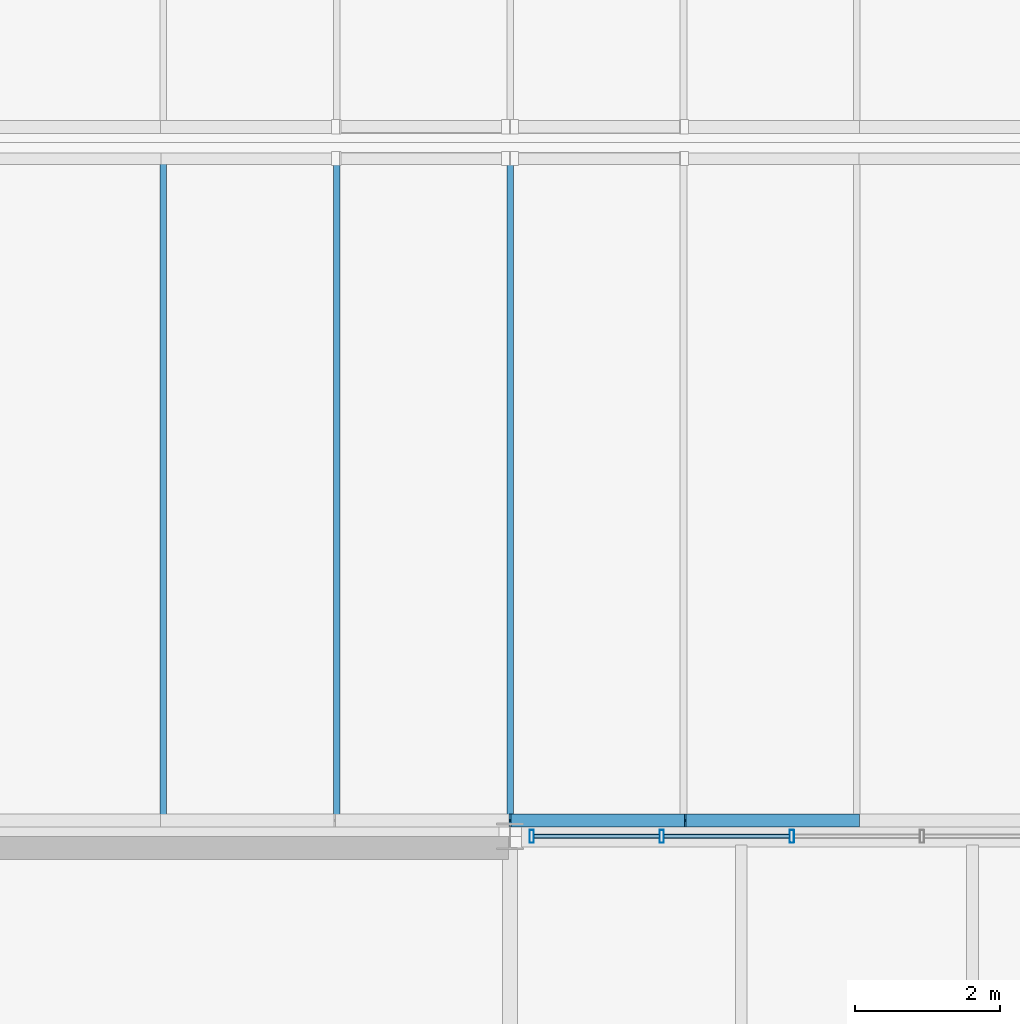
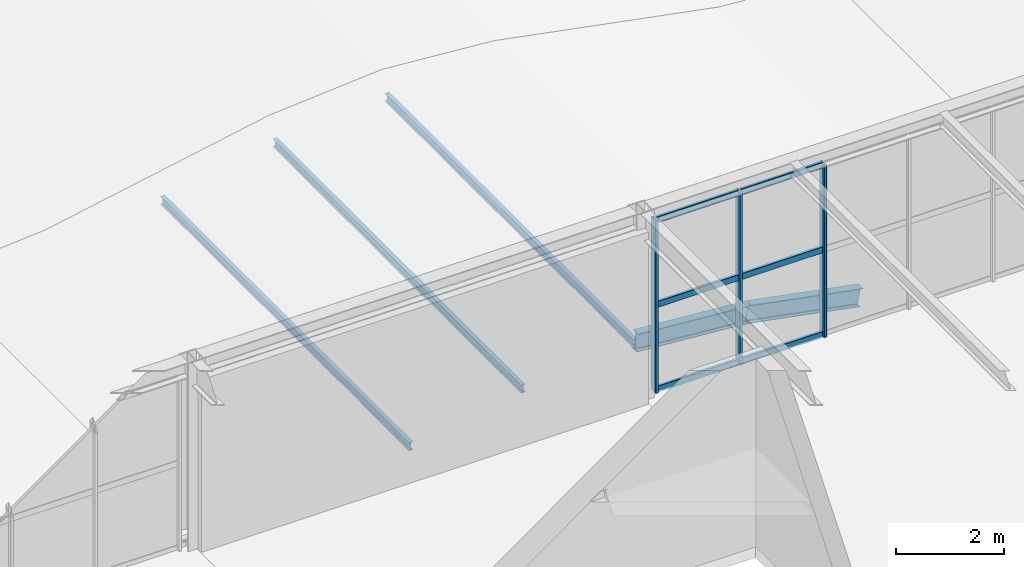
# One storey, part 109 of 170: 12 members, 2 beams, 1 element without a shape of its own.
"""IFC4 building model written with IfcOpenShell, lengths in metres."""

from ifc_helpers import new_model, si_unit, direction, frame, origin, origin_2d, place, context, subcontext, project, spatial, hollow_rectangle, i_section, extrude, material, material_profile, profile_set, type_object, element, aggregate, save


model = new_model("IFC4")

# Units and contexts
model_context = context("Model", 3, precision=1e-05, world=origin(), true_north=direction((0.0, 1.0)))
body_context = subcontext(model_context, "Body", "Model", "MODEL_VIEW")
ifc_project = project(units=[si_unit("LENGTHUNIT", "METRE"), si_unit("AREAUNIT", "SQUARE_METRE"), si_unit("VOLUMEUNIT", "CUBIC_METRE"), si_unit("PLANEANGLEUNIT", "RADIAN"), si_unit("MASSUNIT", "GRAM", prefix="KILO")], contexts=[model_context])

# Site, building, storey
site_placement = place(None, origin())
site = spatial("IfcSite", under=ifc_project, at=site_placement, CompositionType="ELEMENT")
building_placement = place(site_placement, origin())
building = spatial("IfcBuilding", under=site, at=building_placement, Name="Coralgate Yard Interchange", CompositionType="ELEMENT")
storey_placement = place(building_placement, frame((0.0, 0.0, 6.0)))
storey = spatial("IfcBuildingStorey", under=building, at=storey_placement, Name="L01", CompositionType="ELEMENT", Elevation=6.0)

# Beams
ifc_material_1 = material(Name="Off-white architectural structural steel S355J2", Category="steel")
ifc_material_profile_1 = material_profile(ifc_material_1, i_section(OverallWidth=0.179931640625, OverallDepth=0.39990234375, WebThickness=0.008544921875, FlangeThickness=0.013427734375, FilletRadius=0.02099609375, at=origin_2d()), Name="IPE 400")
ifc_profile_set_1 = profile_set([ifc_material_profile_1], Name="Off-white architectural structural steel S355J2")
beam_type = type_object("IfcBeamType", Name="BM-WR-1", PredefinedType="BEAM", material=ifc_profile_set_1)
beam_1_placement = place(storey_placement, frame((86.39990234375, 96.219970703125, 1.10009765625), z_axis=(0.996867296401, 0.0, -0.079092309144), x_axis=(0.0, 1.0, 0.0)))
element("IfcBeam", 1, at=beam_1_placement, inside=storey, type_object=beam_type, Name="Wave-shell steel arch rib R1-W3-S5", PredefinedType="BEAM", context=body_context, shape_type="SweptSolid", body=[
    extrude(i_section(OverallWidth=0.179931640625, OverallDepth=0.39990234375, WebThickness=0.008544921875, FlangeThickness=0.013427734375, FilletRadius=0.02099609375, at=origin_2d()), origin(), (0.0, 0.0, 1.0), 2.40771484375),
])
beam_2_placement = place(storey_placement, frame((88.800048828125, 96.219970703125, 0.90966796875), z_axis=(0.98214301705, 0.0, -0.18813583938), x_axis=(0.0, 1.0, 0.0)))
element("IfcBeam", 2, at=beam_2_placement, inside=storey, type_object=beam_type, Name="Wave-shell steel arch rib R1-W3-S6", PredefinedType="BEAM", context=body_context, shape_type="SweptSolid", body=[
    extrude(i_section(OverallWidth=0.179931640625, OverallDepth=0.39990234375, WebThickness=0.008544921875, FlangeThickness=0.013427734375, FilletRadius=0.02099609375, at=origin_2d()), origin(), (0.0, 0.0, 1.0), 2.443603515625),
])

# Curtain wall, members
ifc_material_2 = material(Name="Anodised coastal aluminium and solar-control low-E glass", Category="aluminium")
curtain_wall_type = type_object("IfcCurtainWallType", Name="CW-CW-L01-B", PredefinedType="NOTDEFINED", material=ifc_material_2)
curtain_wall_placement = place(storey_placement, origin())
curtain_wall = element("IfcCurtainWall", 3, at=curtain_wall_placement, inside=storey, type_object=curtain_wall_type, Name="L01 unitised curtain wall CW-L01-N-09-09", PredefinedType="NOTDEFINED")
ifc_material_3 = material(Name="Anodised coastal aluminium 6063-T6", Category="aluminium")
ifc_material_profile_2 = material_profile(ifc_material_3, hollow_rectangle(XDim=0.06005859375, YDim=0.179931640625, WallThickness=0.00390625, InnerFilletRadius=0.00390625, OuterFilletRadius=0.008056640625, at=origin_2d()), Name="ALU 60x180x4")
ifc_profile_set_2 = profile_set([ifc_material_profile_2], Name="Anodised coastal aluminium 6063-T6")
member_type_1 = type_object("IfcMemberType", Name="MB-MUL-180", PredefinedType="MULLION", material=ifc_profile_set_2)
member_1_placement = place(storey_placement, frame((86.699951171875, 96.0, 0.0), z_axis=(0.0, 0.0, 1.0), x_axis=(1.0, 0.0, 0.0)))
member_1 = element("IfcMember", 4, at=member_1_placement, type_object=member_type_1, Name="CW-L01-N-09-09 vertical mullion 1", PredefinedType="MULLION", context=body_context, shape_type="SweptSolid", body=[
    extrude(hollow_rectangle(XDim=0.06005859375, YDim=0.179931640625, WallThickness=0.00390625, InnerFilletRadius=0.00390625, OuterFilletRadius=0.008056640625, at=origin_2d()), origin(), (0.0, 0.0, 1.0), 3.89990234375),
])
member_2_placement = place(storey_placement, frame((88.5, 96.0, 0.0), z_axis=(0.0, 0.0, 1.0), x_axis=(1.0, 0.0, 0.0)))
member_2 = element("IfcMember", 5, at=member_2_placement, type_object=member_type_1, Name="CW-L01-N-09-09 vertical mullion 2", PredefinedType="MULLION", context=body_context, shape_type="SweptSolid", body=[
    extrude(hollow_rectangle(XDim=0.06005859375, YDim=0.179931640625, WallThickness=0.00390625, InnerFilletRadius=0.00390625, OuterFilletRadius=0.008056640625, at=origin_2d()), origin(), (0.0, 0.0, 1.0), 3.89990234375),
])
member_3_placement = place(storey_placement, frame((90.300048828125, 96.0, 0.0), z_axis=(0.0, 0.0, 1.0), x_axis=(1.0, 0.0, 0.0)))
member_3 = element("IfcMember", 6, at=member_3_placement, type_object=member_type_1, Name="CW-L01-N-09-09 vertical mullion 3", PredefinedType="MULLION", context=body_context, shape_type="SweptSolid", body=[
    extrude(hollow_rectangle(XDim=0.06005859375, YDim=0.179931640625, WallThickness=0.00390625, InnerFilletRadius=0.00390625, OuterFilletRadius=0.008056640625, at=origin_2d()), origin(), (0.0, 0.0, 1.0), 3.89990234375),
])

# Members
ifc_material_profile_3 = material_profile(ifc_material_1, i_section(OverallWidth=0.091064453125, OverallDepth=0.179931640625, WebThickness=0.00537109375, FlangeThickness=0.008056640625, FilletRadius=0.009033203125, at=origin_2d()), Name="IPE 180")
ifc_profile_set_3 = profile_set([ifc_material_profile_3], Name="Off-white architectural structural steel S355J2")
member_type_2 = type_object("IfcMemberType", Name="MB-PR-2", PredefinedType="PURLIN", material=ifc_profile_set_3)
for number, where, z_axis, x_axis, name in (
    (7, (81.60009765625, 96.199951171875, 0.409912109375), (0.0, 1.0, 0.0), (-1.0, 0.0, 0.0), "Wave-shell purlin R1-W3-3"),
    (8, (84.0, 96.199951171875, 0.86962890625), (0.0, 1.0, 0.0), (-1.0, 0.0, 0.0), "Wave-shell purlin R1-W3-4"),
    (9, (86.39990234375, 96.199951171875, 1.06005859375), (0.0, 1.0, 0.0), (-1.0, 0.0, 0.0), "Wave-shell purlin R1-W3-5"),
):
    element("IfcMember", number, at=place(storey_placement, frame(where, z_axis=z_axis, x_axis=x_axis)), inside=storey, type_object=member_type_2, Name=name, PredefinedType="PURLIN", context=body_context, shape_type="SweptSolid", body=[
        extrude(i_section(OverallWidth=0.091064453125, OverallDepth=0.179931640625, WebThickness=0.00537109375, FlangeThickness=0.008056640625, FilletRadius=0.009033203125, at=origin_2d()), origin(), (0.0, 0.0, 1.0), 9.199951171875),
    ])

# Member
ifc_material_profile_4 = material_profile(ifc_material_3, hollow_rectangle(XDim=0.06005859375, YDim=0.139892578125, WallThickness=0.00341796875, InnerFilletRadius=0.00341796875, OuterFilletRadius=0.007080078125, at=origin_2d()), Name="ALU 60x140x3.5")
ifc_profile_set_4 = profile_set([ifc_material_profile_4], Name="Anodised coastal aluminium 6063-T6")
member_type_3 = type_object("IfcMemberType", Name="MB-TRN-140", PredefinedType="USERDEFINED", material=ifc_profile_set_4)
member_4_placement = place(storey_placement, frame((86.72998046875, 96.0, 0.034912109375), z_axis=(1.0, 0.0, 0.0), x_axis=(0.0, 1.0, 0.0)))
member_4 = element("IfcMember", 10, at=member_4_placement, type_object=member_type_3, Name="CW-L01-N-09-09 horizontal transom 1-1", ObjectType="TRANSOM", PredefinedType="USERDEFINED", context=body_context, shape_type="SweptSolid", body=[
    extrude(hollow_rectangle(XDim=0.06005859375, YDim=0.139892578125, WallThickness=0.00341796875, InnerFilletRadius=0.00341796875, OuterFilletRadius=0.007080078125, at=origin_2d()), origin(), (0.0, 0.0, 1.0), 1.739990234375),
])

member_5_placement = place(storey_placement, frame((86.72998046875, 96.0, 1.949951171875), z_axis=(1.0, 0.0, 0.0), x_axis=(0.0, 1.0, 0.0)))
member_5 = element("IfcMember", 11, at=member_5_placement, type_object=member_type_3, Name="CW-L01-N-09-09 horizontal transom 1-2", ObjectType="TRANSOM", PredefinedType="USERDEFINED", context=body_context, shape_type="SweptSolid", body=[
    extrude(hollow_rectangle(XDim=0.06005859375, YDim=0.139892578125, WallThickness=0.00341796875, InnerFilletRadius=0.00341796875, OuterFilletRadius=0.007080078125, at=origin_2d()), origin(), (0.0, 0.0, 1.0), 1.739990234375),
])

member_6_placement = place(storey_placement, frame((86.72998046875, 96.0, 3.864990234375), z_axis=(1.0, 0.0, 0.0), x_axis=(0.0, 1.0, 0.0)))
member_6 = element("IfcMember", 12, at=member_6_placement, type_object=member_type_3, Name="CW-L01-N-09-09 horizontal transom 1-3", ObjectType="TRANSOM", PredefinedType="USERDEFINED", context=body_context, shape_type="SweptSolid", body=[
    extrude(hollow_rectangle(XDim=0.06005859375, YDim=0.139892578125, WallThickness=0.00341796875, InnerFilletRadius=0.00341796875, OuterFilletRadius=0.007080078125, at=origin_2d()), origin(), (0.0, 0.0, 1.0), 1.739990234375),
])

member_7_placement = place(storey_placement, frame((88.530029296875, 96.0, 0.034912109375), z_axis=(1.0, 0.0, 0.0), x_axis=(0.0, 1.0, 0.0)))
member_7 = element("IfcMember", 13, at=member_7_placement, type_object=member_type_3, Name="CW-L01-N-09-09 horizontal transom 2-1", ObjectType="TRANSOM", PredefinedType="USERDEFINED", context=body_context, shape_type="SweptSolid", body=[
    extrude(hollow_rectangle(XDim=0.06005859375, YDim=0.139892578125, WallThickness=0.00341796875, InnerFilletRadius=0.00341796875, OuterFilletRadius=0.007080078125, at=origin_2d()), origin(), (0.0, 0.0, 1.0), 1.739990234375),
])

member_8_placement = place(storey_placement, frame((88.530029296875, 96.0, 1.949951171875), z_axis=(1.0, 0.0, 0.0), x_axis=(0.0, 1.0, 0.0)))
member_8 = element("IfcMember", 14, at=member_8_placement, type_object=member_type_3, Name="CW-L01-N-09-09 horizontal transom 2-2", ObjectType="TRANSOM", PredefinedType="USERDEFINED", context=body_context, shape_type="SweptSolid", body=[
    extrude(hollow_rectangle(XDim=0.06005859375, YDim=0.139892578125, WallThickness=0.00341796875, InnerFilletRadius=0.00341796875, OuterFilletRadius=0.007080078125, at=origin_2d()), origin(), (0.0, 0.0, 1.0), 1.739990234375),
])

member_9_placement = place(storey_placement, frame((88.530029296875, 96.0, 3.864990234375), z_axis=(1.0, 0.0, 0.0), x_axis=(0.0, 1.0, 0.0)))
member_9 = element("IfcMember", 15, at=member_9_placement, type_object=member_type_3, Name="CW-L01-N-09-09 horizontal transom 2-3", ObjectType="TRANSOM", PredefinedType="USERDEFINED", context=body_context, shape_type="SweptSolid", body=[
    extrude(hollow_rectangle(XDim=0.06005859375, YDim=0.139892578125, WallThickness=0.00341796875, InnerFilletRadius=0.00341796875, OuterFilletRadius=0.007080078125, at=origin_2d()), origin(), (0.0, 0.0, 1.0), 1.739990234375),
])

aggregate(curtain_wall, [member_1, member_2, member_3, member_4, member_5, member_6, member_7, member_8, member_9])

save(model, "model.ifc")
